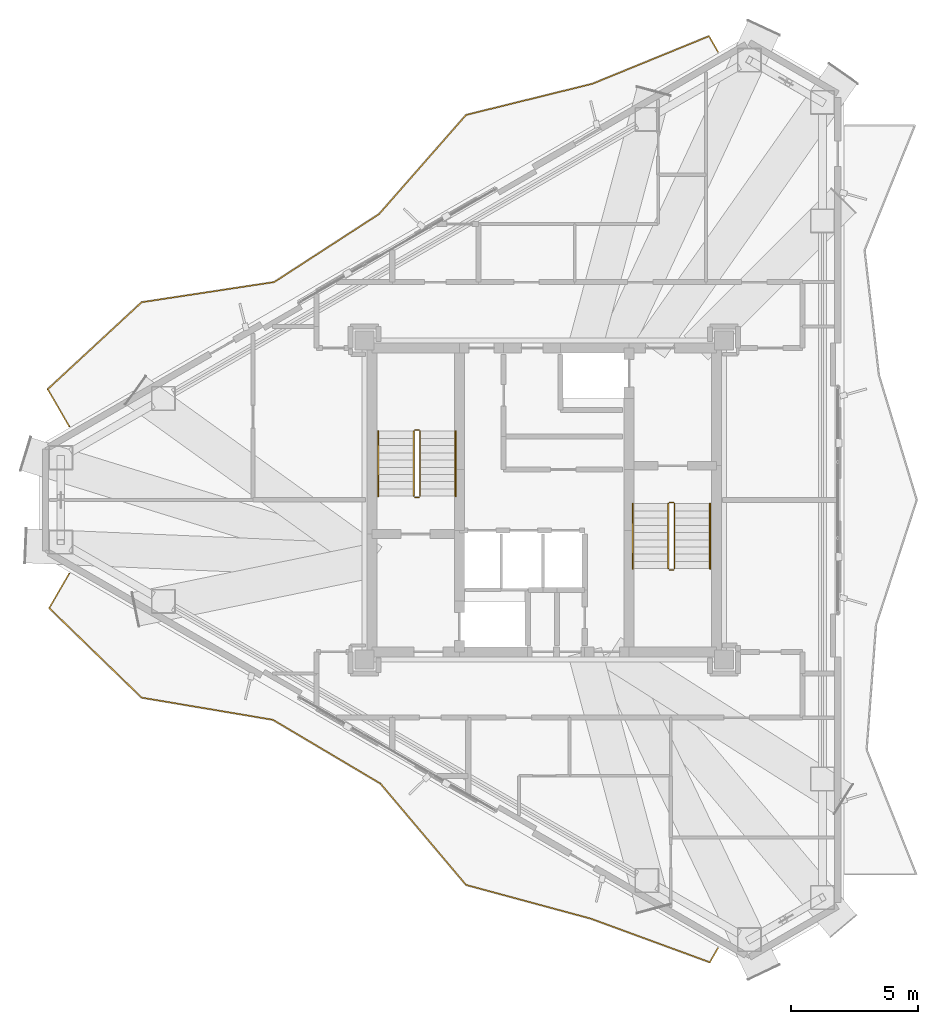
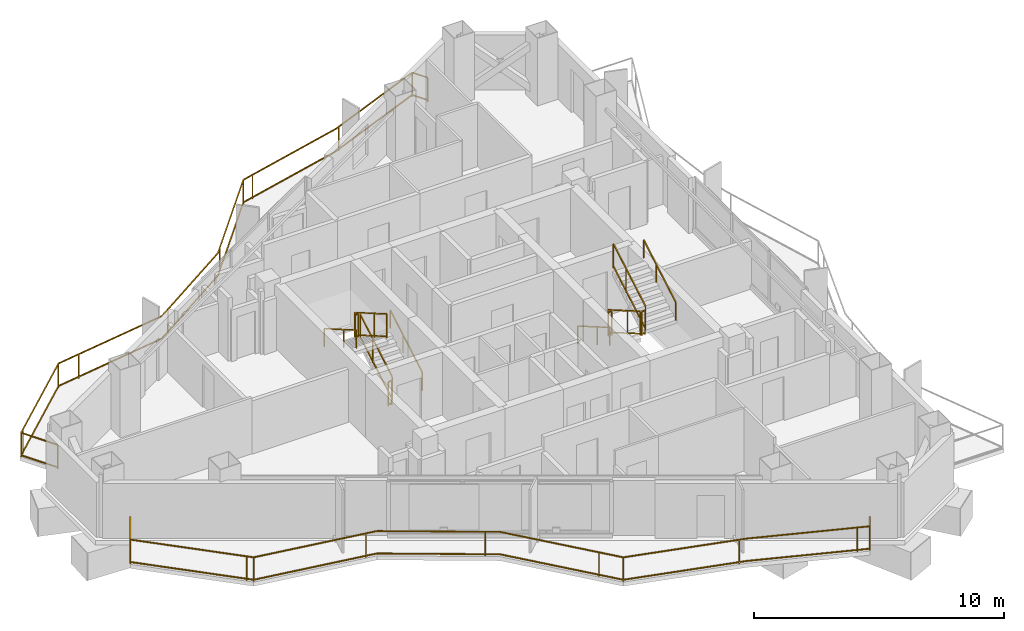
# One storey, part 18 of 19: 14 railings.
"""IFC4 building model written with IfcOpenShell, lengths in metres."""

import ifcopenshell
import ifcopenshell.guid

model = None  # the IFC model being written
_history = None  # IfcOwnerHistory: only IFC2X3 demands one
_inside = {}  # id of a spatial element -> (the spatial element, [elements in it])
_under = {}  # id of a project, library or spatial element -> (it, [spatial elements below it])
_declared = {}  # id of a project -> (the project, [libraries it declares])
_typed = {}  # id of a type object -> (the type object, [elements of that type])
_made_of = {}  # id of a material, layer set ... -> (it, [elements and type objects made of it])


def new_model(schema):
    """Start an empty IFC model of exactly this schema.

    Asked for "IFC4X3", IfcOpenShell would pick the latest addendum, in which some entities
    have other attributes; the version numbers below select the first issue.
    IFC2X3 requires an IfcOwnerHistory on every rooted entity: one is made here for all.
    """
    global model, _history
    if schema == "IFC4X3":
        model = ifcopenshell.file(schema_version=(4, 3, 0, 0))
    else:
        model = ifcopenshell.file(schema=schema)
    _inside.clear()
    _under.clear()
    _declared.clear()
    _typed.clear()
    _made_of.clear()
    _history = None
    if model.schema == "IFC2X3":
        org = make("IfcOrganization", Name="unknown")
        user = make(
            "IfcPersonAndOrganization",
            ThePerson=make("IfcPerson", FamilyName="unknown"),
            TheOrganization=org,
        )
        app = make(
            "IfcApplication",
            ApplicationDeveloper=org,
            Version="unknown",
            ApplicationFullName="unknown",
            ApplicationIdentifier="unknown",
        )
        _history = make(
            "IfcOwnerHistory",
            OwningUser=user,
            OwningApplication=app,
            ChangeAction="ADDED",
            CreationDate=0,
        )
    return model


def make(cls, **values):
    """One entity of the class cls with the attributes given. An attribute that is None is left unset."""
    return model.create_entity(
        cls, **{name: value for name, value in values.items() if value is not None}
    )


def rooted(cls, **values):
    """An entity with a GlobalId (a new one), such as an element, a storey or a relation."""
    return make(cls, GlobalId=ifcopenshell.guid.new(), OwnerHistory=_history, **values)


def si_unit(unit_type, name, prefix=None):
    """IfcSIUnit, for example si_unit("LENGTHUNIT", "METRE", prefix="MILLI")."""
    return make("IfcSIUnit", UnitType=unit_type, Prefix=prefix, Name=name)


def assignment(units):
    """IfcUnitAssignment: the units of a project."""
    return None if units is None else make("IfcUnitAssignment", Units=units)


def point(xyz):
    """IfcCartesianPoint."""
    return None if xyz is None else make("IfcCartesianPoint", Coordinates=xyz)


def direction(xyz):
    """IfcDirection."""
    return None if xyz is None else make("IfcDirection", DirectionRatios=xyz)


def frame(location, z_axis=None, x_axis=None):
    """IfcAxis2Placement3D, a coordinate frame: its origin and axes. An axis left out is left unset."""
    return make(
        "IfcAxis2Placement3D",
        Location=point(location),
        Axis=direction(z_axis),
        RefDirection=direction(x_axis),
    )


def frame_2d(location, x_axis=None):
    """IfcAxis2Placement2D, a coordinate frame in the plane: its origin and x axis."""
    return make(
        "IfcAxis2Placement2D", Location=point(location), RefDirection=direction(x_axis)
    )


def origin():
    """The frame at (0, 0, 0) with its axes left unset."""
    return frame((0.0, 0.0, 0.0))


def origin_2d():
    """The frame at (0, 0) in the plane with its x axis left unset."""
    return frame_2d((0.0, 0.0))


def place(relative_to, where):
    """IfcLocalPlacement: puts the frame where relative to a parent placement (None: the world)."""
    return make(
        "IfcLocalPlacement", PlacementRelTo=relative_to, RelativePlacement=where
    )


def context(
    kind, dimensions, precision=None, world=None, true_north=None, identifier=None
):
    """IfcGeometricRepresentationContext, for example the 3D "Model" context."""
    return make(
        "IfcGeometricRepresentationContext",
        ContextIdentifier=identifier,
        ContextType=kind,
        CoordinateSpaceDimension=dimensions,
        Precision=precision,
        WorldCoordinateSystem=world,
        TrueNorth=true_north,
    )


def subcontext(parent, identifier, kind, view, scale=None):
    """IfcGeometricRepresentationSubContext, for example "Body" below "Model"."""
    return make(
        "IfcGeometricRepresentationSubContext",
        ContextIdentifier=identifier,
        ContextType=kind,
        ParentContext=parent,
        TargetScale=scale,
        TargetView=view,
    )


def project(units=None, contexts=None):
    """IfcProject with its units and contexts."""
    return rooted(
        "IfcProject",
        Name="project",
        RepresentationContexts=contexts,
        UnitsInContext=assignment(units),
    )


def spatial(cls, under=None, at=None, **own):
    """A site, building, storey or space (cls), placed at a placement, below another one or the project."""
    s = rooted(cls, ObjectPlacement=at, **own)
    if under is not None:
        _under.setdefault(under.id(), (under, []))[1].append(s)
    return s


def profile(cls, at=None, kind="AREA", **sizes):
    """A parametric profile (cls). Its sizes go by their IFC names, for example OverallWidth=200.0."""
    return make(cls, ProfileType=kind, Position=at, **sizes)


def rectangle(**sizes):
    """IfcRectangleProfileDef."""
    return profile("IfcRectangleProfileDef", **sizes)


def extrude(swept, where, along, depth):
    """IfcExtrudedAreaSolid: the profile swept, set in the frame where, extruded along a direction by depth."""
    return make(
        "IfcExtrudedAreaSolid",
        SweptArea=swept,
        Position=where,
        ExtrudedDirection=direction(along),
        Depth=depth,
    )


def shape(context_of_items, identifier, shape_type, items):
    """IfcShapeRepresentation: the items that make up one representation, for example the "Body"."""
    return make(
        "IfcShapeRepresentation",
        ContextOfItems=context_of_items,
        RepresentationIdentifier=identifier,
        RepresentationType=shape_type,
        Items=items,
    )


def material(Name=None, Category=None):
    """IfcMaterial."""
    return make("IfcMaterial", Name=Name, Category=Category)


def made_of(thing, what):
    """Note that an element or type object is made of a material, layer set ...; save() writes the relation."""
    if what is not None:
        _made_of.setdefault(what.id(), (what, []))[1].append(thing)
    return thing


def type_object(cls, material=None, **own):
    """A type object (cls), such as IfcWallType, which elements share."""
    return made_of(rooted(cls, **own), material)


def element(
    cls,
    number,
    at=None,
    inside=None,
    cuts=None,
    type_object=None,
    material=None,
    context=None,
    identifier="Body",
    shape_type=None,
    held_by="IfcProductDefinitionShape",
    body=None,
    shapes=None,
    **own,
):
    """One element of the class cls, such as IfcWall. Its Tag is "e" and its number.

    at: its placement. inside: the storey or other place that contains it. cuts: it is an
    opening in that element (IfcRelVoidsElement). A single representation is given by context,
    identifier, shape_type and body (its items); several are given by shapes. held_by: the class
    of the entity that holds the representations. save() writes the other relations.
    """
    e = rooted(cls, Tag="e%d" % number, ObjectPlacement=at, **own)
    if body is not None:
        shapes = [shape(context, identifier, shape_type, body)]
    if shapes is not None:
        e.Representation = make(held_by, Representations=shapes)
    if inside is not None:
        _inside.setdefault(inside.id(), (inside, []))[1].append(e)
    if cuts is not None:
        rooted(
            "IfcRelVoidsElement", RelatingBuildingElement=cuts, RelatedOpeningElement=e
        )
    if type_object is not None:
        _typed.setdefault(type_object.id(), (type_object, []))[1].append(e)
    return made_of(e, material)


def aggregate(whole, parts):
    """IfcRelAggregates: a whole, such as a stair, and the parts it consists of."""
    return rooted("IfcRelAggregates", RelatingObject=whole, RelatedObjects=parts)


def save(model, path):
    """Write the relations noted so far, then the file.

    IfcRelAggregates (storeys below a building ...), IfcRelContainedInSpatialStructure (elements
    in a storey), IfcRelDefinesByType, IfcRelAssociatesMaterial and IfcRelDeclares: one each for
    every whole, place, type object, material and project.
    """
    for whole, parts in _under.values():
        aggregate(whole, parts)
    for where, things in _inside.values():
        rooted(
            "IfcRelContainedInSpatialStructure",
            RelatedElements=things,
            RelatingStructure=where,
        )
    for kind, things in _typed.values():
        rooted("IfcRelDefinesByType", RelatedObjects=things, RelatingType=kind)
    for what, things in _made_of.values():
        rooted("IfcRelAssociatesMaterial", RelatedObjects=things, RelatingMaterial=what)
    for by, libraries in _declared.values():
        rooted("IfcRelDeclares", RelatingContext=by, RelatedDefinitions=libraries)
    model.write(path)


model = new_model("IFC4")

# Units and contexts
model_context = context("Model", 3, precision=1e-05, world=origin(), true_north=direction((0.0, 1.0)))
body_context = subcontext(model_context, "Body", "Model", "MODEL_VIEW")
ifc_project = project(units=[si_unit("LENGTHUNIT", "METRE"), si_unit("AREAUNIT", "SQUARE_METRE"), si_unit("VOLUMEUNIT", "CUBIC_METRE"), si_unit("PLANEANGLEUNIT", "RADIAN"), si_unit("MASSUNIT", "GRAM", prefix="KILO")], contexts=[model_context])

# Site, building, storey
site_placement = place(None, origin())
site = spatial("IfcSite", under=ifc_project, at=site_placement, CompositionType="ELEMENT")
building_placement = place(site_placement, origin())
building = spatial("IfcBuilding", under=site, at=building_placement, Name="Mersakhor Tower and Convention Hall", CompositionType="ELEMENT")
storey_placement = place(building_placement, frame((0.0, 0.0, 175.5)))
storey = spatial("IfcBuildingStorey", under=building, at=storey_placement, Name="L48", CompositionType="ELEMENT", Elevation=175.5)

# Railings
ifc_material_1 = material(Name="Powder-coated galvanised steel and laminated glass balustrade", Category="steel")
railing_type_1 = type_object("IfcRailingType", Name="RL-BAL-1200", PredefinedType="BALUSTRADE", material=ifc_material_1)
railing_1_placement = place(storey_placement, frame((35.86669921875, 44.44189453125, 0.0)))
element("IfcRailing", 1, at=railing_1_placement, inside=storey, type_object=railing_type_1, Name="L48 Sinusoidal Balcony Balustrade F1", PredefinedType="BALUSTRADE", context=body_context, shape_type="SweptSolid", body=[
    extrude(rectangle(XDim=0.048095703125, YDim=0.048095703125, at=origin_2d()), frame((0.0, 0.0, 1.17578125), z_axis=(-0.499801049099, 0.866140237675, 0.0), x_axis=(-0.866140237675, -0.499801049099, 0.0)), (0.0, 0.0, 1.0), 0.717041015625),
    extrude(rectangle(XDim=0.048095703125, YDim=0.048095703125, at=origin_2d()), frame((0.0, 0.0, 0.080078125), z_axis=(-0.499801049099, 0.866140237675, 0.0), x_axis=(-0.866140237675, -0.499801049099, 0.0)), (0.0, 0.0, 1.0), 0.717041015625),
    extrude(rectangle(XDim=0.048095703125, YDim=0.048095703125, at=origin_2d()), frame((-0.3583984375, 0.62109375, 1.17578125), z_axis=(-0.925866205829, -0.377851517007, 0.0), x_axis=(0.377851517007, -0.925866205829, 0.0)), (0.0, 0.0, 1.0), 4.97705078125),
    extrude(rectangle(XDim=0.048095703125, YDim=0.048095703125, at=origin_2d()), frame((-0.3583984375, 0.62109375, 0.080078125), z_axis=(-0.925866205829, -0.377851517007, 0.0), x_axis=(0.377851517007, -0.925866205829, 0.0)), (0.0, 0.0, 1.0), 4.97705078125),
    extrude(rectangle(XDim=0.048095703125, YDim=0.048095703125, at=origin_2d()), frame((-4.966552734375, -1.259521484375, 1.17578125), z_axis=(-0.970918004281, -0.239412257338, 0.0), x_axis=(0.239412257338, -0.970918004281, 0.0)), (0.0, 0.0, 1.0), 5.13330078125),
    extrude(rectangle(XDim=0.048095703125, YDim=0.048095703125, at=origin_2d()), frame((-4.966552734375, -1.259521484375, 0.080078125), z_axis=(-0.970918004281, -0.239412257338, 0.0), x_axis=(0.239412257338, -0.970918004281, 0.0)), (0.0, 0.0, 1.0), 5.13330078125),
    extrude(rectangle(XDim=0.048095703125, YDim=0.048095703125, at=origin_2d()), frame((-9.95068359375, -2.488525390625, 1.17578125), z_axis=(-0.65953636943, -0.751672653087, 0.0), x_axis=(0.751672653087, -0.65953636943, 0.0)), (0.0, 0.0, 1.0), 5.206787109375),
    extrude(rectangle(XDim=0.048095703125, YDim=0.048095703125, at=origin_2d()), frame((-9.95068359375, -2.488525390625, 0.080078125), z_axis=(-0.65953636943, -0.751672653087, 0.0), x_axis=(0.751672653087, -0.65953636943, 0.0)), (0.0, 0.0, 1.0), 5.206787109375),
    extrude(rectangle(XDim=0.048095703125, YDim=0.048095703125, at=origin_2d()), frame((-13.384765625, -6.40234375, 1.17578125), z_axis=(-0.838975320171, -0.544169470059, 0.0), x_axis=(0.544169470059, -0.838975320171, 0.0)), (0.0, 0.0, 1.0), 4.937255859375),
    extrude(rectangle(XDim=0.048095703125, YDim=0.048095703125, at=origin_2d()), frame((-13.384765625, -6.40234375, 0.080078125), z_axis=(-0.838975320171, -0.544169470059, 0.0), x_axis=(0.544169470059, -0.838975320171, 0.0)), (0.0, 0.0, 1.0), 4.937255859375),
    extrude(rectangle(XDim=0.048095703125, YDim=0.048095703125, at=origin_2d()), frame((-17.527099609375, -9.089111328125, 1.17578125), z_axis=(-0.988636721296, -0.150324426839, 0.0), x_axis=(0.150324426839, -0.988636721296, 0.0)), (0.0, 0.0, 1.0), 5.29443359375),
    extrude(rectangle(XDim=0.048095703125, YDim=0.048095703125, at=origin_2d()), frame((-17.527099609375, -9.089111328125, 0.080078125), z_axis=(-0.988636721296, -0.150324426839, 0.0), x_axis=(0.150324426839, -0.988636721296, 0.0)), (0.0, 0.0, 1.0), 5.29443359375),
    extrude(rectangle(XDim=0.048095703125, YDim=0.048095703125, at=origin_2d()), frame((-22.761474609375, -9.885009765625, 1.17578125), z_axis=(-0.733767805991, -0.679400328887, 0.0), x_axis=(0.679400328887, -0.733767805991, 0.0)), (0.0, 0.0, 1.0), 5.056396484375),
    extrude(rectangle(XDim=0.048095703125, YDim=0.048095703125, at=origin_2d()), frame((-22.761474609375, -9.885009765625, 0.080078125), z_axis=(-0.733767805991, -0.679400328887, 0.0), x_axis=(0.679400328887, -0.733767805991, 0.0)), (0.0, 0.0, 1.0), 5.056396484375),
    extrude(rectangle(XDim=0.048095703125, YDim=0.048095703125, at=origin_2d()), frame((-26.4716796875, -13.3203125, 1.17578125), z_axis=(0.499954529098, -0.86605165483, 0.0), x_axis=(0.86605165483, 0.499954529098, 0.0)), (0.0, 0.0, 1.0), 1.699951171875),
    extrude(rectangle(XDim=0.048095703125, YDim=0.048095703125, at=origin_2d()), frame((-26.4716796875, -13.3203125, 0.080078125), z_axis=(0.499954529098, -0.86605165483, 0.0), x_axis=(0.86605165483, 0.499954529098, 0.0)), (0.0, 0.0, 1.0), 1.699951171875),
    extrude(rectangle(XDim=0.0419921875, YDim=0.0419921875, at=origin_2d()), origin(), (0.0, 0.0, 1.0), 1.15185546875),
    extrude(rectangle(XDim=0.0419921875, YDim=0.0419921875, at=origin_2d()), frame((-0.3583984375, 0.62109375, 0.0)), (0.0, 0.0, 1.0), 1.15185546875),
    extrude(rectangle(XDim=0.0419921875, YDim=0.0419921875, at=origin_2d()), frame((-4.802490234375, -1.192626953125, 0.0)), (0.0, 0.0, 1.0), 1.15185546875),
    extrude(rectangle(XDim=0.0419921875, YDim=0.0419921875, at=origin_2d()), frame((-9.455078125, -2.3662109375, 0.0)), (0.0, 0.0, 1.0), 1.15185546875),
    extrude(rectangle(XDim=0.0419921875, YDim=0.0419921875, at=origin_2d()), frame((-9.95068359375, -2.488525390625, 0.0)), (0.0, 0.0, 1.0), 1.15185546875),
    extrude(rectangle(XDim=0.0419921875, YDim=0.0419921875, at=origin_2d()), frame((-13.116455078125, -6.096435546875, 0.0)), (0.0, 0.0, 1.0), 1.15185546875),
    extrude(rectangle(XDim=0.0419921875, YDim=0.0419921875, at=origin_2d()), frame((-17.070556640625, -8.79296875, 0.0)), (0.0, 0.0, 1.0), 1.15185546875),
    extrude(rectangle(XDim=0.0419921875, YDim=0.0419921875, at=origin_2d()), frame((-21.734619140625, -9.728759765625, 0.0)), (0.0, 0.0, 1.0), 1.15185546875),
    extrude(rectangle(XDim=0.0419921875, YDim=0.0419921875, at=origin_2d()), frame((-22.761474609375, -9.885009765625, 0.0)), (0.0, 0.0, 1.0), 1.15185546875),
    extrude(rectangle(XDim=0.0419921875, YDim=0.0419921875, at=origin_2d()), frame((-26.283447265625, -13.146240234375, 0.0)), (0.0, 0.0, 1.0), 1.15185546875),
    extrude(rectangle(XDim=0.0419921875, YDim=0.0419921875, at=origin_2d()), frame((-26.4716796875, -13.3203125, 0.0)), (0.0, 0.0, 1.0), 1.15185546875),
    extrude(rectangle(XDim=0.0419921875, YDim=0.0419921875, at=origin_2d()), frame((-25.621826171875, -14.79248046875, 0.0)), (0.0, 0.0, 1.0), 1.15185546875),
])
railing_2_placement = place(storey_placement, frame((10.244873046875, 23.8505859375, 0.0)))
element("IfcRailing", 2, at=railing_2_placement, inside=storey, type_object=railing_type_1, Name="L48 Sinusoidal Balcony Balustrade F3", PredefinedType="BALUSTRADE", context=body_context, shape_type="SweptSolid", body=[
    extrude(rectangle(XDim=0.048095703125, YDim=0.048095703125, at=origin_2d()), frame((0.0, 0.0, 1.17578125), z_axis=(-0.500043375578, -0.866000359435, 0.0), x_axis=(0.866000359435, -0.500043375578, 0.0)), (0.0, 0.0, 1.0), 1.580322265625),
    extrude(rectangle(XDim=0.048095703125, YDim=0.048095703125, at=origin_2d()), frame((0.0, 0.0, 0.080078125), z_axis=(-0.500043375578, -0.866000359435, 0.0), x_axis=(0.866000359435, -0.500043375578, 0.0)), (0.0, 0.0, 1.0), 1.580322265625),
    extrude(rectangle(XDim=0.048095703125, YDim=0.048095703125, at=origin_2d()), frame((-0.790283203125, -1.36865234375, 1.17578125), z_axis=(0.718017463383, -0.69602508739, 0.0), x_axis=(0.69602508739, 0.718017463383, 0.0)), (0.0, 0.0, 1.0), 5.084228515625),
    extrude(rectangle(XDim=0.048095703125, YDim=0.048095703125, at=origin_2d()), frame((-0.790283203125, -1.36865234375, 0.080078125), z_axis=(0.718017463383, -0.69602508739, 0.0), x_axis=(0.69602508739, 0.718017463383, 0.0)), (0.0, 0.0, 1.0), 5.084228515625),
    extrude(rectangle(XDim=0.048095703125, YDim=0.048095703125, at=origin_2d()), frame((2.8603515625, -4.907470703125, 1.17578125), z_axis=(0.98603415783, -0.166543206384, 0.0), x_axis=(0.166543206384, 0.98603415783, 0.0)), (0.0, 0.0, 1.0), 5.26123046875),
    extrude(rectangle(XDim=0.048095703125, YDim=0.048095703125, at=origin_2d()), frame((2.8603515625, -4.907470703125, 0.080078125), z_axis=(0.98603415783, -0.166543206384, 0.0), x_axis=(0.166543206384, 0.98603415783, 0.0)), (0.0, 0.0, 1.0), 5.26123046875),
    extrude(rectangle(XDim=0.048095703125, YDim=0.048095703125, at=origin_2d()), frame((8.048095703125, -5.78369140625, 1.17578125), z_axis=(0.859985792833, -0.510317975507, 0.0), x_axis=(0.510317975507, 0.859985792833, 0.0)), (0.0, 0.0, 1.0), 4.931396484375),
    extrude(rectangle(XDim=0.048095703125, YDim=0.048095703125, at=origin_2d()), frame((8.048095703125, -5.78369140625, 0.080078125), z_axis=(0.859985792833, -0.510317975507, 0.0), x_axis=(0.510317975507, 0.859985792833, 0.0)), (0.0, 0.0, 1.0), 4.931396484375),
    extrude(rectangle(XDim=0.048095703125, YDim=0.048095703125, at=origin_2d()), frame((12.2890625, -8.30029296875, 1.17578125), z_axis=(0.645315561703, -0.763916111771, 0.0), x_axis=(0.763916111771, 0.645315561703, 0.0)), (0.0, 0.0, 1.0), 5.240966796875),
    extrude(rectangle(XDim=0.048095703125, YDim=0.048095703125, at=origin_2d()), frame((12.2890625, -8.30029296875, 0.080078125), z_axis=(0.645315561703, -0.763916111771, 0.0), x_axis=(0.763916111771, 0.645315561703, 0.0)), (0.0, 0.0, 1.0), 5.240966796875),
    extrude(rectangle(XDim=0.048095703125, YDim=0.048095703125, at=origin_2d()), frame((15.671142578125, -12.303955078125, 1.17578125), z_axis=(0.965395959433, -0.260788499574, 0.0), x_axis=(0.260788499574, 0.965395959433, 0.0)), (0.0, 0.0, 1.0), 5.10205078125),
    extrude(rectangle(XDim=0.048095703125, YDim=0.048095703125, at=origin_2d()), frame((15.671142578125, -12.303955078125, 0.080078125), z_axis=(0.965395959433, -0.260788499574, 0.0), x_axis=(0.260788499574, 0.965395959433, 0.0)), (0.0, 0.0, 1.0), 5.10205078125),
    extrude(rectangle(XDim=0.048095703125, YDim=0.048095703125, at=origin_2d()), frame((20.5966796875, -13.634521484375, 1.17578125), z_axis=(0.938895760063, -0.344201614953, 0.0), x_axis=(0.344201614953, 0.938895760063, 0.0)), (0.0, 0.0, 1.0), 5.0048828125),
    extrude(rectangle(XDim=0.048095703125, YDim=0.048095703125, at=origin_2d()), frame((20.5966796875, -13.634521484375, 0.080078125), z_axis=(0.938895760063, -0.344201614953, 0.0), x_axis=(0.344201614953, 0.938895760063, 0.0)), (0.0, 0.0, 1.0), 5.0048828125),
    extrude(rectangle(XDim=0.048095703125, YDim=0.048095703125, at=origin_2d()), frame((25.295654296875, -15.357177734375, 1.17578125), z_axis=(0.500165322679, 0.865929933649, 0.0), x_axis=(-0.865929933649, 0.500165322679, 0.0)), (0.0, 0.0, 1.0), 0.652099609375),
    extrude(rectangle(XDim=0.048095703125, YDim=0.048095703125, at=origin_2d()), frame((25.295654296875, -15.357177734375, 0.080078125), z_axis=(0.500165322679, 0.865929933649, 0.0), x_axis=(-0.865929933649, 0.500165322679, 0.0)), (0.0, 0.0, 1.0), 0.652099609375),
    extrude(rectangle(XDim=0.0419921875, YDim=0.0419921875, at=origin_2d()), origin(), (0.0, 0.0, 1.0), 1.15185546875),
    extrude(rectangle(XDim=0.0419921875, YDim=0.0419921875, at=origin_2d()), frame((-0.790283203125, -1.36865234375, 0.0)), (0.0, 0.0, 1.0), 1.15185546875),
    extrude(rectangle(XDim=0.0419921875, YDim=0.0419921875, at=origin_2d()), frame((2.65625, -4.70947265625, 0.0)), (0.0, 0.0, 1.0), 1.15185546875),
    extrude(rectangle(XDim=0.0419921875, YDim=0.0419921875, at=origin_2d()), frame((2.8603515625, -4.907470703125, 0.0)), (0.0, 0.0, 1.0), 1.15185546875),
    extrude(rectangle(XDim=0.0419921875, YDim=0.0419921875, at=origin_2d()), frame((7.59326171875, -5.706787109375, 0.0)), (0.0, 0.0, 1.0), 1.15185546875),
    extrude(rectangle(XDim=0.0419921875, YDim=0.0419921875, at=origin_2d()), frame((11.779296875, -7.997802734375, 0.0)), (0.0, 0.0, 1.0), 1.15185546875),
    extrude(rectangle(XDim=0.0419921875, YDim=0.0419921875, at=origin_2d()), frame((15.004150390625, -11.514404296875, 0.0)), (0.0, 0.0, 1.0), 1.15185546875),
    extrude(rectangle(XDim=0.0419921875, YDim=0.0419921875, at=origin_2d()), frame((15.671142578125, -12.303955078125, 0.0)), (0.0, 0.0, 1.0), 1.15185546875),
    extrude(rectangle(XDim=0.0419921875, YDim=0.0419921875, at=origin_2d()), frame((20.304931640625, -13.5556640625, 0.0)), (0.0, 0.0, 1.0), 1.15185546875),
    extrude(rectangle(XDim=0.0419921875, YDim=0.0419921875, at=origin_2d()), frame((24.81982421875, -15.1826171875, 0.0)), (0.0, 0.0, 1.0), 1.15185546875),
    extrude(rectangle(XDim=0.0419921875, YDim=0.0419921875, at=origin_2d()), frame((25.295654296875, -15.357177734375, 0.0)), (0.0, 0.0, 1.0), 1.15185546875),
    extrude(rectangle(XDim=0.0419921875, YDim=0.0419921875, at=origin_2d()), frame((25.621826171875, -14.79248046875, 0.0)), (0.0, 0.0, 1.0), 1.15185546875),
])
ifc_material_2 = material(Name="Brushed stainless steel handrail", Category="steel")
railing_type_2 = type_object("IfcRailingType", Name="RL-HR-900", PredefinedType="HANDRAIL", material=ifc_material_2)
railing_3_placement = place(storey_placement, frame((25.5, 26.89990234375, 0.1650390625)))
element("IfcRailing", 3, at=railing_3_placement, inside=storey, type_object=railing_type_2, Name="L48 ST-1 stair handrail 1", PredefinedType="HANDRAIL", context=body_context, shape_type="SweptSolid", body=[
    extrude(rectangle(XDim=0.048095703125, YDim=0.048095703125, at=origin_2d()), frame((0.0, 0.0, 0.8759765625), z_axis=(0.0, 0.865461999751, 0.500974577186), x_axis=(-1.0, 0.0, 0.0)), (0.0, 0.0, 1.0), 2.9638671875),
    extrude(rectangle(XDim=0.0419921875, YDim=0.0419921875, at=origin_2d()), origin(), (0.0, 0.0, 1.0), 0.851806640625),
    extrude(rectangle(XDim=0.0419921875, YDim=0.0419921875, at=origin_2d()), frame((0.0, 1.557861328125, 0.90185546875)), (0.0, 0.0, 1.0), 0.851806640625),
    extrude(rectangle(XDim=0.0419921875, YDim=0.0419921875, at=origin_2d()), frame((0.0, 2.565185546875, 1.48486328125)), (0.0, 0.0, 1.0), 0.851806640625),
])
railing_4_placement = place(storey_placement, frame((22.449951171875, 29.465087890625, 1.81494140625)))
element("IfcRailing", 4, at=railing_4_placement, inside=storey, type_object=railing_type_2, Name="L48 ST-1 stair handrail 2", PredefinedType="HANDRAIL", context=body_context, shape_type="SweptSolid", body=[
    extrude(rectangle(XDim=0.048095703125, YDim=0.048095703125, at=origin_2d()), frame((0.0, 0.0, 0.8759765625), z_axis=(0.0, -0.865426285481, 0.501036270542), x_axis=(1.0, 0.0, 0.0)), (0.0, 0.0, 1.0), 2.964111328125),
    extrude(rectangle(XDim=0.0419921875, YDim=0.0419921875, at=origin_2d()), origin(), (0.0, 0.0, 1.0), 0.851806640625),
    extrude(rectangle(XDim=0.0419921875, YDim=0.0419921875, at=origin_2d()), frame((0.0, -1.557861328125, 0.90185546875)), (0.0, 0.0, 1.0), 0.851806640625),
    extrude(rectangle(XDim=0.0419921875, YDim=0.0419921875, at=origin_2d()), frame((0.0, -2.565185546875, 1.485107421875)), (0.0, 0.0, 1.0), 0.851806640625),
])
railing_5_placement = place(storey_placement, frame((32.5, 26.60009765625, 0.1650390625)))
element("IfcRailing", 5, at=railing_5_placement, inside=storey, type_object=railing_type_2, Name="L48 ST-2 stair handrail 1", PredefinedType="HANDRAIL", context=body_context, shape_type="SweptSolid", body=[
    extrude(rectangle(XDim=0.048095703125, YDim=0.048095703125, at=origin_2d()), frame((0.0, 0.0, 0.8759765625), z_axis=(0.0, -0.865461999751, 0.500974577186), x_axis=(1.0, 0.0, 0.0)), (0.0, 0.0, 1.0), 2.9638671875),
    extrude(rectangle(XDim=0.0419921875, YDim=0.0419921875, at=origin_2d()), origin(), (0.0, 0.0, 1.0), 0.851806640625),
    extrude(rectangle(XDim=0.0419921875, YDim=0.0419921875, at=origin_2d()), frame((0.0, -1.557861328125, 0.90185546875)), (0.0, 0.0, 1.0), 0.851806640625),
    extrude(rectangle(XDim=0.0419921875, YDim=0.0419921875, at=origin_2d()), frame((0.0, -2.565185546875, 1.48486328125)), (0.0, 0.0, 1.0), 0.851806640625),
])
railing_6_placement = place(storey_placement, frame((35.550048828125, 24.034912109375, 1.81494140625)))
element("IfcRailing", 6, at=railing_6_placement, inside=storey, type_object=railing_type_2, Name="L48 ST-2 stair handrail 2", PredefinedType="HANDRAIL", context=body_context, shape_type="SweptSolid", body=[
    extrude(rectangle(XDim=0.048095703125, YDim=0.048095703125, at=origin_2d()), frame((0.0, 0.0, 0.8759765625), z_axis=(0.0, 0.865426285481, 0.501036270542), x_axis=(-1.0, 0.0, 0.0)), (0.0, 0.0, 1.0), 2.964111328125),
    extrude(rectangle(XDim=0.0419921875, YDim=0.0419921875, at=origin_2d()), origin(), (0.0, 0.0, 1.0), 0.851806640625),
    extrude(rectangle(XDim=0.0419921875, YDim=0.0419921875, at=origin_2d()), frame((0.0, 1.557861328125, 0.90185546875)), (0.0, 0.0, 1.0), 0.851806640625),
    extrude(rectangle(XDim=0.0419921875, YDim=0.0419921875, at=origin_2d()), frame((0.0, 2.565185546875, 1.485107421875)), (0.0, 0.0, 1.0), 0.851806640625),
])
ifc_material_3 = material(Name="Painted steel stair balustrade S355", Category="steel")
railing_type_3 = type_object("IfcRailingType", Name="RL-STG-1200", PredefinedType="BALUSTRADE", material=ifc_material_3)
railing_7_placement = place(storey_placement, frame((24.10009765625, 26.89990234375, 0.1650390625)))
element("IfcRailing", 7, at=railing_7_placement, inside=storey, type_object=railing_type_3, Name="L48 ST-1 stair guard 1", PredefinedType="BALUSTRADE", context=body_context, shape_type="SweptSolid", body=[
    extrude(rectangle(XDim=0.048095703125, YDim=0.048095703125, at=origin_2d()), frame((0.0, 0.0, 1.17578125), z_axis=(0.0, 0.865461999751, 0.500974577186), x_axis=(-1.0, 0.0, 0.0)), (0.0, 0.0, 1.0), 2.9638671875),
    extrude(rectangle(XDim=0.048095703125, YDim=0.048095703125, at=origin_2d()), frame((0.0, 0.0, 0.080078125), z_axis=(0.0, 0.865461999751, 0.500974577186), x_axis=(-1.0, 0.0, 0.0)), (0.0, 0.0, 1.0), 2.9638671875),
    extrude(rectangle(XDim=0.0419921875, YDim=0.0419921875, at=origin_2d()), origin(), (0.0, 0.0, 1.0), 1.15185546875),
    extrude(rectangle(XDim=0.0419921875, YDim=0.0419921875, at=origin_2d()), frame((0.0, 1.557861328125, 0.90185546875)), (0.0, 0.0, 1.0), 1.15185546875),
    extrude(rectangle(XDim=0.0419921875, YDim=0.0419921875, at=origin_2d()), frame((0.0, 2.565185546875, 1.48486328125)), (0.0, 0.0, 1.0), 1.15185546875),
])
railing_8_placement = place(storey_placement, frame((24.050048828125, 29.514892578125, 1.64990234375)))
element("IfcRailing", 8, at=railing_8_placement, inside=storey, type_object=railing_type_3, Name="L48 ST-1 stair guard 2", PredefinedType="BALUSTRADE", context=body_context, shape_type="SweptSolid", body=[
    extrude(rectangle(XDim=0.048095703125, YDim=0.048095703125, at=origin_2d()), frame((0.0, 0.0, 1.17578125), z_axis=(-1.0, 0.0, 0.0), x_axis=(0.0, -1.0, 0.0)), (0.0, 0.0, 1.0), 0.150146484375),
    extrude(rectangle(XDim=0.048095703125, YDim=0.048095703125, at=origin_2d()), frame((0.0, 0.0, 0.080078125), z_axis=(-1.0, 0.0, 0.0), x_axis=(0.0, -1.0, 0.0)), (0.0, 0.0, 1.0), 0.150146484375),
    extrude(rectangle(XDim=0.0419921875, YDim=0.0419921875, at=origin_2d()), origin(), (0.0, 0.0, 1.0), 1.15185546875),
    extrude(rectangle(XDim=0.0419921875, YDim=0.0419921875, at=origin_2d()), frame((-0.150146484375, 0.0, 0.0)), (0.0, 0.0, 1.0), 1.15185546875),
])
railing_9_placement = place(storey_placement, frame((23.85009765625, 29.465087890625, 1.81494140625)))
element("IfcRailing", 9, at=railing_9_placement, inside=storey, type_object=railing_type_3, Name="L48 ST-1 stair guard 3", PredefinedType="BALUSTRADE", context=body_context, shape_type="SweptSolid", body=[
    extrude(rectangle(XDim=0.048095703125, YDim=0.048095703125, at=origin_2d()), frame((0.0, 0.0, 1.17578125), z_axis=(0.0, -0.865426285481, 0.501036270542), x_axis=(1.0, 0.0, 0.0)), (0.0, 0.0, 1.0), 2.964111328125),
    extrude(rectangle(XDim=0.048095703125, YDim=0.048095703125, at=origin_2d()), frame((0.0, 0.0, 0.080078125), z_axis=(0.0, -0.865426285481, 0.501036270542), x_axis=(1.0, 0.0, 0.0)), (0.0, 0.0, 1.0), 2.964111328125),
    extrude(rectangle(XDim=0.0419921875, YDim=0.0419921875, at=origin_2d()), origin(), (0.0, 0.0, 1.0), 1.15185546875),
    extrude(rectangle(XDim=0.0419921875, YDim=0.0419921875, at=origin_2d()), frame((0.0, -1.557861328125, 0.90185546875)), (0.0, 0.0, 1.0), 1.15185546875),
    extrude(rectangle(XDim=0.0419921875, YDim=0.0419921875, at=origin_2d()), frame((0.0, -2.565185546875, 1.485107421875)), (0.0, 0.0, 1.0), 1.15185546875),
])
railing_10_placement = place(storey_placement, frame((24.050048828125, 26.85009765625, 0.0)))
element("IfcRailing", 10, at=railing_10_placement, inside=storey, type_object=railing_type_3, Name="L48 ST-1 stair guard 4", PredefinedType="BALUSTRADE", context=body_context, shape_type="SweptSolid", body=[
    extrude(rectangle(XDim=0.048095703125, YDim=0.048095703125, at=origin_2d()), frame((0.0, 0.0, 1.17578125), z_axis=(-1.0, 0.0, 0.0), x_axis=(0.0, -1.0, 0.0)), (0.0, 0.0, 1.0), 0.150146484375),
    extrude(rectangle(XDim=0.048095703125, YDim=0.048095703125, at=origin_2d()), frame((0.0, 0.0, 0.080078125), z_axis=(-1.0, 0.0, 0.0), x_axis=(0.0, -1.0, 0.0)), (0.0, 0.0, 1.0), 0.150146484375),
    extrude(rectangle(XDim=0.0419921875, YDim=0.0419921875, at=origin_2d()), origin(), (0.0, 0.0, 1.0), 1.15185546875),
    extrude(rectangle(XDim=0.0419921875, YDim=0.0419921875, at=origin_2d()), frame((-0.150146484375, 0.0, 0.0)), (0.0, 0.0, 1.0), 1.15185546875),
])
railing_11_placement = place(storey_placement, frame((33.89990234375, 26.60009765625, 0.1650390625)))
element("IfcRailing", 11, at=railing_11_placement, inside=storey, type_object=railing_type_3, Name="L48 ST-2 stair guard 1", PredefinedType="BALUSTRADE", context=body_context, shape_type="SweptSolid", body=[
    extrude(rectangle(XDim=0.048095703125, YDim=0.048095703125, at=origin_2d()), frame((0.0, 0.0, 1.17578125), z_axis=(0.0, -0.865461999751, 0.500974577186), x_axis=(1.0, 0.0, 0.0)), (0.0, 0.0, 1.0), 2.9638671875),
    extrude(rectangle(XDim=0.048095703125, YDim=0.048095703125, at=origin_2d()), frame((0.0, 0.0, 0.080078125), z_axis=(0.0, -0.865461999751, 0.500974577186), x_axis=(1.0, 0.0, 0.0)), (0.0, 0.0, 1.0), 2.9638671875),
    extrude(rectangle(XDim=0.0419921875, YDim=0.0419921875, at=origin_2d()), origin(), (0.0, 0.0, 1.0), 1.15185546875),
    extrude(rectangle(XDim=0.0419921875, YDim=0.0419921875, at=origin_2d()), frame((0.0, -1.557861328125, 0.90185546875)), (0.0, 0.0, 1.0), 1.15185546875),
    extrude(rectangle(XDim=0.0419921875, YDim=0.0419921875, at=origin_2d()), frame((0.0, -2.565185546875, 1.48486328125)), (0.0, 0.0, 1.0), 1.15185546875),
])
railing_12_placement = place(storey_placement, frame((33.949951171875, 23.985107421875, 1.64990234375)))
element("IfcRailing", 12, at=railing_12_placement, inside=storey, type_object=railing_type_3, Name="L48 ST-2 stair guard 2", PredefinedType="BALUSTRADE", context=body_context, shape_type="SweptSolid", body=[
    extrude(rectangle(XDim=0.048095703125, YDim=0.048095703125, at=origin_2d()), frame((0.0, 0.0, 1.17578125), z_axis=(1.0, 0.0, 0.0), x_axis=(0.0, 1.0, 0.0)), (0.0, 0.0, 1.0), 0.150146484375),
    extrude(rectangle(XDim=0.048095703125, YDim=0.048095703125, at=origin_2d()), frame((0.0, 0.0, 0.080078125), z_axis=(1.0, 0.0, 0.0), x_axis=(0.0, 1.0, 0.0)), (0.0, 0.0, 1.0), 0.150146484375),
    extrude(rectangle(XDim=0.0419921875, YDim=0.0419921875, at=origin_2d()), origin(), (0.0, 0.0, 1.0), 1.15185546875),
    extrude(rectangle(XDim=0.0419921875, YDim=0.0419921875, at=origin_2d()), frame((0.150146484375, 0.0, 0.0)), (0.0, 0.0, 1.0), 1.15185546875),
])
railing_13_placement = place(storey_placement, frame((34.14990234375, 24.034912109375, 1.81494140625)))
element("IfcRailing", 13, at=railing_13_placement, inside=storey, type_object=railing_type_3, Name="L48 ST-2 stair guard 3", PredefinedType="BALUSTRADE", context=body_context, shape_type="SweptSolid", body=[
    extrude(rectangle(XDim=0.048095703125, YDim=0.048095703125, at=origin_2d()), frame((0.0, 0.0, 1.17578125), z_axis=(0.0, 0.865426285481, 0.501036270542), x_axis=(-1.0, 0.0, 0.0)), (0.0, 0.0, 1.0), 2.964111328125),
    extrude(rectangle(XDim=0.048095703125, YDim=0.048095703125, at=origin_2d()), frame((0.0, 0.0, 0.080078125), z_axis=(0.0, 0.865426285481, 0.501036270542), x_axis=(-1.0, 0.0, 0.0)), (0.0, 0.0, 1.0), 2.964111328125),
    extrude(rectangle(XDim=0.0419921875, YDim=0.0419921875, at=origin_2d()), origin(), (0.0, 0.0, 1.0), 1.15185546875),
    extrude(rectangle(XDim=0.0419921875, YDim=0.0419921875, at=origin_2d()), frame((0.0, 1.557861328125, 0.90185546875)), (0.0, 0.0, 1.0), 1.15185546875),
    extrude(rectangle(XDim=0.0419921875, YDim=0.0419921875, at=origin_2d()), frame((0.0, 2.565185546875, 1.485107421875)), (0.0, 0.0, 1.0), 1.15185546875),
])
railing_14_placement = place(storey_placement, frame((33.949951171875, 26.64990234375, 0.0)))
element("IfcRailing", 14, at=railing_14_placement, inside=storey, type_object=railing_type_3, Name="L48 ST-2 stair guard 4", PredefinedType="BALUSTRADE", context=body_context, shape_type="SweptSolid", body=[
    extrude(rectangle(XDim=0.048095703125, YDim=0.048095703125, at=origin_2d()), frame((0.0, 0.0, 1.17578125), z_axis=(1.0, 0.0, 0.0), x_axis=(0.0, 1.0, 0.0)), (0.0, 0.0, 1.0), 0.150146484375),
    extrude(rectangle(XDim=0.048095703125, YDim=0.048095703125, at=origin_2d()), frame((0.0, 0.0, 0.080078125), z_axis=(1.0, 0.0, 0.0), x_axis=(0.0, 1.0, 0.0)), (0.0, 0.0, 1.0), 0.150146484375),
    extrude(rectangle(XDim=0.0419921875, YDim=0.0419921875, at=origin_2d()), origin(), (0.0, 0.0, 1.0), 1.15185546875),
    extrude(rectangle(XDim=0.0419921875, YDim=0.0419921875, at=origin_2d()), frame((0.150146484375, 0.0, 0.0)), (0.0, 0.0, 1.0), 1.15185546875),
])

save(model, "model.ifc")
